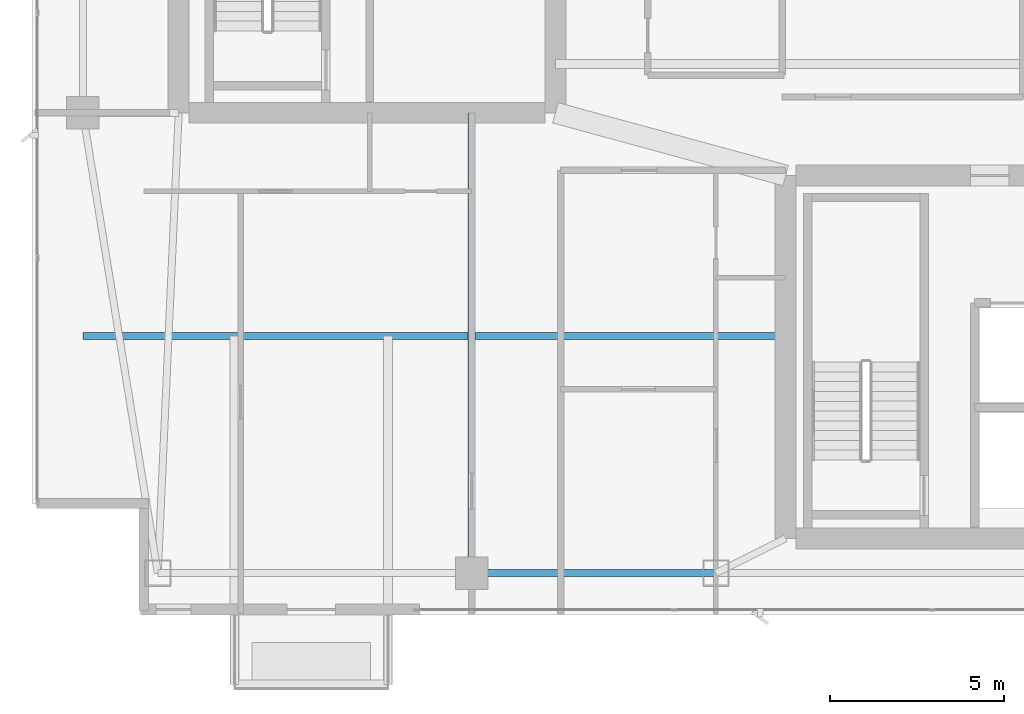
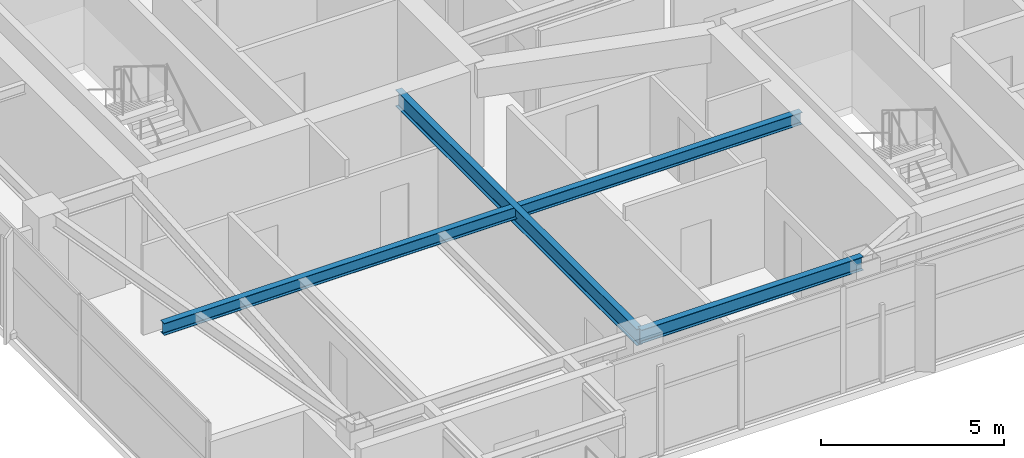
# One storey, part 6 of 28: 3 beams.
"""IFC4 building model written with IfcOpenShell, lengths in metres."""

from ifc_helpers import new_model, si_unit, direction, frame, origin, origin_2d, place, context, subcontext, project, spatial, i_section, extrude, material, material_profile, profile_set, type_object, element, save


model = new_model("IFC4")

# Units and contexts
model_context = context("Model", 3, precision=1e-05, world=origin(), true_north=direction((0.0, 1.0)))
body_context = subcontext(model_context, "Body", "Model", "MODEL_VIEW")
ifc_project = project(units=[si_unit("LENGTHUNIT", "METRE"), si_unit("AREAUNIT", "SQUARE_METRE"), si_unit("VOLUMEUNIT", "CUBIC_METRE"), si_unit("PLANEANGLEUNIT", "RADIAN"), si_unit("MASSUNIT", "GRAM", prefix="KILO")], contexts=[model_context])

# Site, building, storey
site_placement = place(None, origin())
site = spatial("IfcSite", under=ifc_project, at=site_placement, CompositionType="ELEMENT")
building_placement = place(site_placement, origin())
building = spatial("IfcBuilding", under=site, at=building_placement, Name="Calvorn Quay Hotel", CompositionType="ELEMENT")
storey_placement = place(building_placement, frame((0.0, 0.0, 271.10009765625)))
storey = spatial("IfcBuildingStorey", under=building, at=storey_placement, Name="L67", CompositionType="ELEMENT", Elevation=271.10009765625)

# Beams
ifc_material_1 = material(Name="Steel Q355B", Category="steel")
ifc_material_profile_1 = material_profile(ifc_material_1, i_section(OverallWidth=0.199951171875, OverallDepth=0.550048828125, WebThickness=0.010009765625, FlangeThickness=0.01611328125, FilletRadius=0.01806640625, at=origin_2d()), Name="HN550x200x10x16")
ifc_profile_set_1 = profile_set([ifc_material_profile_1], Name="Steel Q355B")
beam_type_1 = type_object("IfcBeamType", Name="BM-GIRD-UPP", PredefinedType="BEAM", material=ifc_profile_set_1)
beam_1_placement = place(storey_placement, frame((12.60009765625, 3.60009765625, 3.264892578125), z_axis=(0.0, 1.0, 0.0), x_axis=(-1.0, 0.0, 0.0)))
element("IfcBeam", 1, at=beam_1_placement, inside=storey, type_object=beam_type_1, Name="Beam BG-L67-S1", PredefinedType="BEAM", context=body_context, shape_type="SweptSolid", body=[
    extrude(i_section(OverallWidth=0.199951171875, OverallDepth=0.550048828125, WebThickness=0.010009765625, FlangeThickness=0.01611328125, FilletRadius=0.01806640625, at=origin_2d()), origin(), (0.0, 0.0, 1.0), 13.199951171875),
])
ifc_material_2 = material(Name="Steel Q355B", Category="steel")
ifc_material_profile_2 = material_profile(ifc_material_2, i_section(OverallWidth=0.199951171875, OverallDepth=0.39990234375, WebThickness=0.008056640625, FlangeThickness=0.012939453125, FilletRadius=0.01611328125, at=origin_2d()), Name="HN400x200x8x13")
ifc_profile_set_2 = profile_set([ifc_material_profile_2], Name="Steel Q355B")
beam_type_2 = type_object("IfcBeamType", Name="BM-JOIST-TYP", PredefinedType="JOIST", material=ifc_profile_set_2)
beam_2_placement = place(storey_placement, frame((1.449951171875, 10.39990234375, 3.33984375), z_axis=(1.0, 0.0, 0.0), x_axis=(0.0, 1.0, 0.0)))
element("IfcBeam", 2, at=beam_2_placement, inside=storey, type_object=beam_type_2, Name="Beam BJ-L67-W1", PredefinedType="JOIST", context=body_context, shape_type="SweptSolid", body=[
    extrude(i_section(OverallWidth=0.199951171875, OverallDepth=0.39990234375, WebThickness=0.008056640625, FlangeThickness=0.012939453125, FilletRadius=0.01611328125, at=origin_2d()), origin(), (0.0, 0.0, 1.0), 20.150146484375),
])
ifc_material_3 = material(Name="Steel Q355B", Category="steel")
ifc_material_profile_3 = material_profile(ifc_material_3, i_section(OverallWidth=0.199951171875, OverallDepth=0.449951171875, WebThickness=0.009033203125, FlangeThickness=0.013916015625, FilletRadius=0.01611328125, at=origin_2d()), Name="HN450x200x9x14")
ifc_profile_set_3 = profile_set([ifc_material_profile_3], Name="Steel Q355B")
beam_type_3 = type_object("IfcBeamType", Name="BM-SPANDREL-Z3", PredefinedType="SPANDREL", material=ifc_profile_set_3)
beam_3_placement = place(storey_placement, frame((12.60009765625, 3.60009765625, 3.31494140625), z_axis=(1.0, 0.0, 0.0), x_axis=(0.0, 1.0, 0.0)))
element("IfcBeam", 3, at=beam_3_placement, inside=storey, type_object=beam_type_3, Name="Beam BSP-L67-S2", PredefinedType="SPANDREL", context=body_context, shape_type="SweptSolid", body=[
    extrude(i_section(OverallWidth=0.199951171875, OverallDepth=0.449951171875, WebThickness=0.009033203125, FlangeThickness=0.013916015625, FilletRadius=0.01611328125, at=origin_2d()), origin(), (0.0, 0.0, 1.0), 7.0),
])

save(model, "model.ifc")
